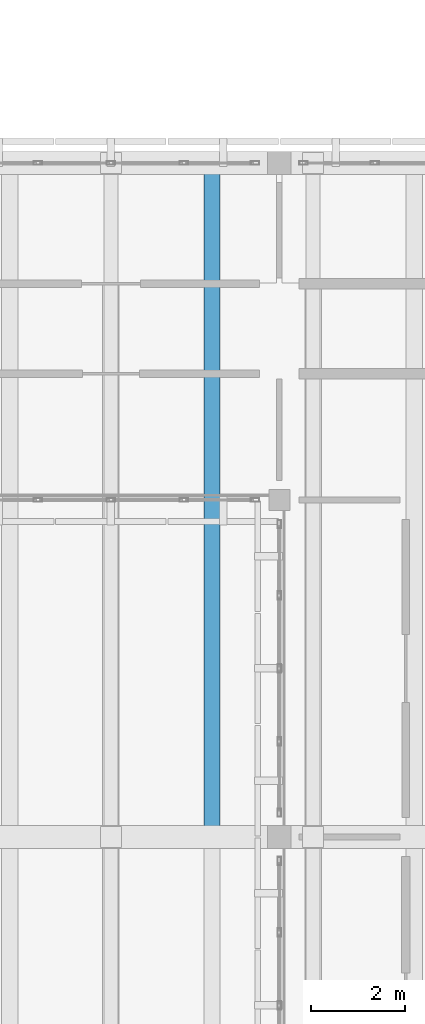
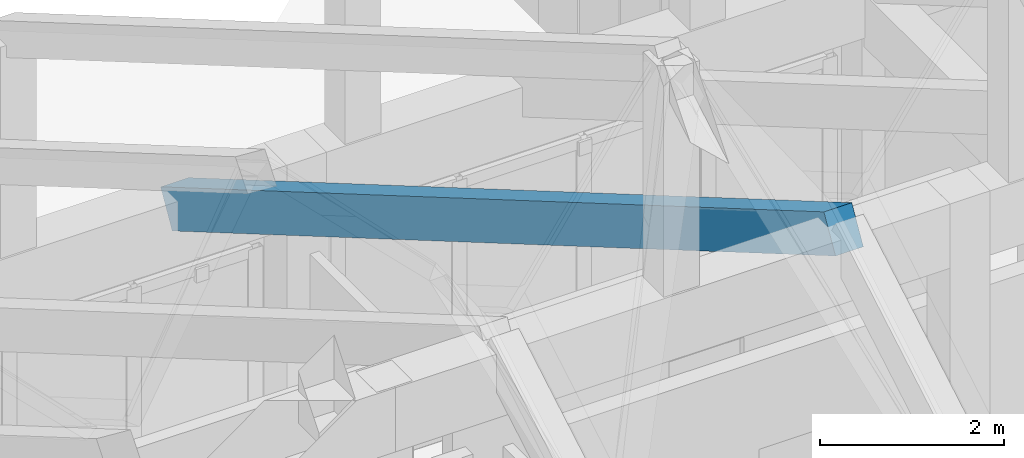
# One storey, part 50 of 171: 1 beam.
"""IFC4 building model written with IfcOpenShell, lengths in metres."""

from ifc_helpers import new_model, si_unit, direction, frame, origin, origin_2d, place, context, subcontext, project, spatial, rectangle, extrude, material, material_profile, profile_set, type_object, element, save


model = new_model("IFC4")

# Units and contexts
model_context = context("Model", 3, precision=1e-05, world=origin(), true_north=direction((0.0, 1.0)))
body_context = subcontext(model_context, "Body", "Model", "MODEL_VIEW")
ifc_project = project(units=[si_unit("LENGTHUNIT", "METRE"), si_unit("AREAUNIT", "SQUARE_METRE"), si_unit("VOLUMEUNIT", "CUBIC_METRE"), si_unit("PLANEANGLEUNIT", "RADIAN"), si_unit("MASSUNIT", "GRAM", prefix="KILO")], contexts=[model_context])

# Site, building, storey
site_placement = place(None, origin())
site = spatial("IfcSite", under=ifc_project, at=site_placement, CompositionType="ELEMENT")
building_placement = place(site_placement, origin())
building = spatial("IfcBuilding", under=site, at=building_placement, Name="Aldebral Square Health Centre", CompositionType="ELEMENT")
storey_placement = place(building_placement, frame((0.0, 0.0, 4.5)))
storey = spatial("IfcBuildingStorey", under=building, at=storey_placement, Name="L01", CompositionType="ELEMENT", Elevation=4.5)

# Beam
ifc_material = material(Name="Concrete C40/50", Category="concrete")
ifc_material_profile = material_profile(ifc_material, rectangle(XDim=0.35009765625, YDim=0.5, at=origin_2d()), Name="RC 350x500")
ifc_profile_set = profile_set([ifc_material_profile], Name="Concrete C40/50")
beam_type = type_object("IfcBeamType", Name="BM-SP1", PredefinedType="SPANDREL", material=ifc_profile_set)
beam_placement = place(storey_placement, frame((99.360107421875, 86.39990234375, 12.64990234375), z_axis=(0.0, 0.863783681228, -0.503862830584), x_axis=(-1.0, 0.0, 0.0)))
element("IfcBeam", 1, at=beam_placement, inside=storey, type_object=beam_type, Name="Folded-plate north valley beam 9", PredefinedType="SPANDREL", context=body_context, shape_type="SweptSolid", body=[
    extrude(rectangle(XDim=0.35009765625, YDim=0.5, at=origin_2d()), origin(), (0.0, 0.0, 1.0), 16.6708984375),
])

save(model, "model.ifc")
